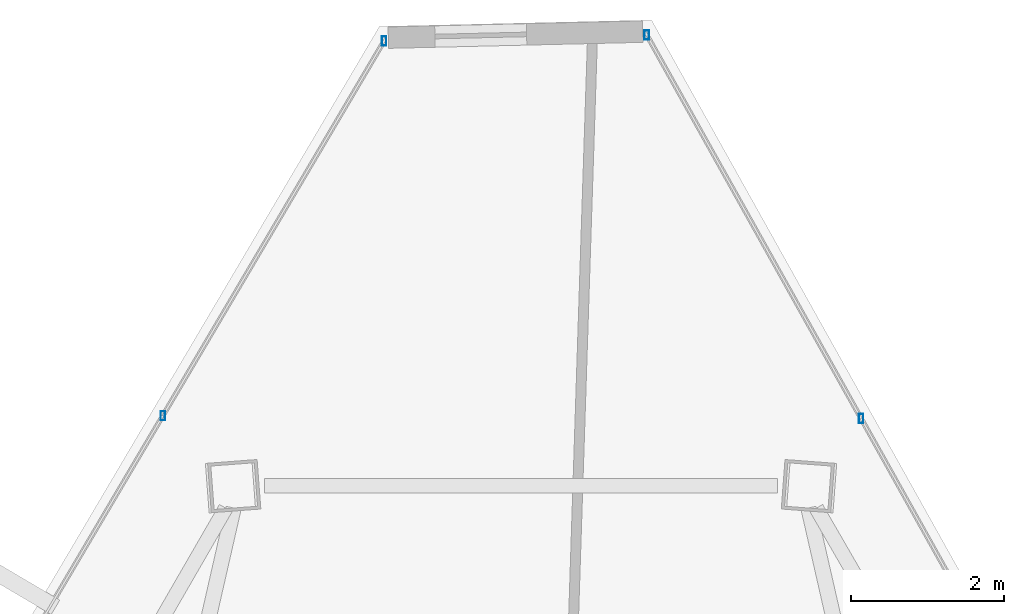
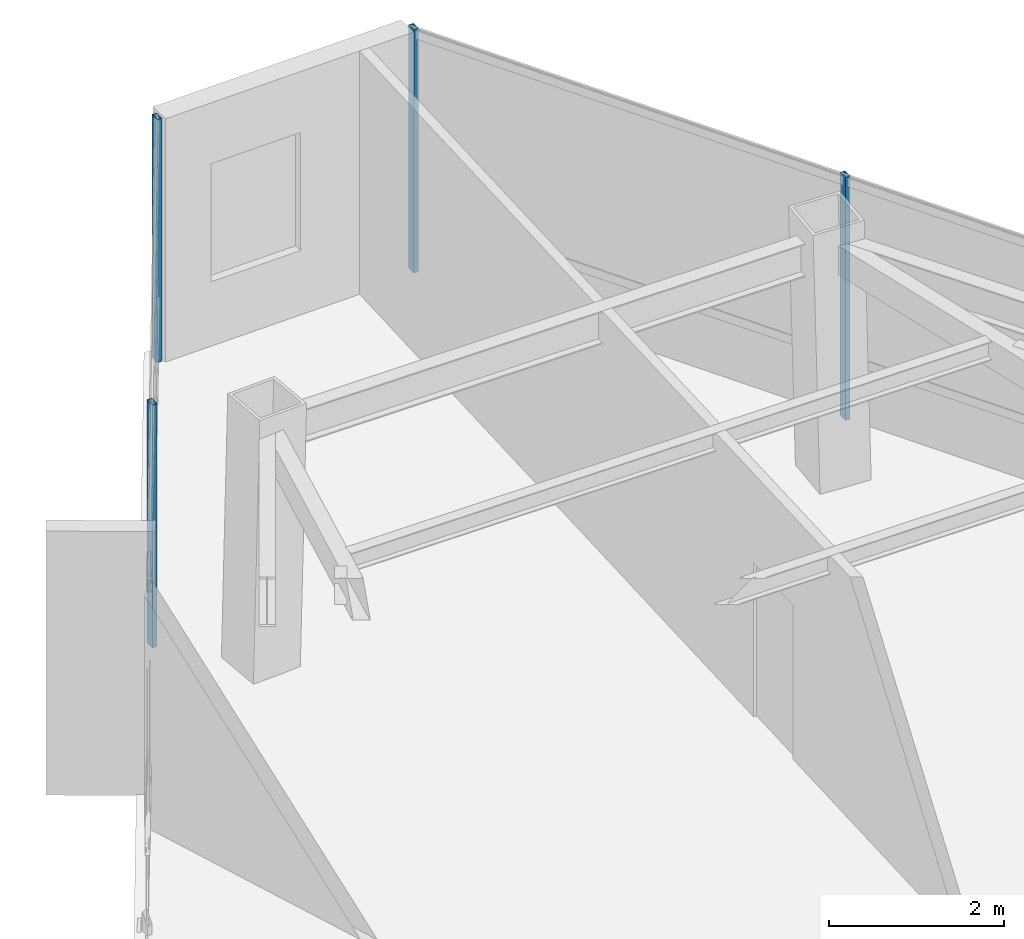
# One storey, part 34 of 44: 4 members, 2 elements without a shape of their own.
"""IFC4 building model written with IfcOpenShell, lengths in metres."""

from ifc_helpers import new_model, si_unit, direction, frame, origin, origin_2d, place, context, subcontext, project, spatial, hollow_rectangle, extrude, source, transform, mapped, material, material_profile, profile_set, type_object, type_shapes, element, aggregate, save


model = new_model("IFC4")

# Units and contexts
model_context = context("Model", 3, precision=1e-05, world=origin(), true_north=direction((0.0, 1.0)))
body_context = subcontext(model_context, "Body", "Model", "MODEL_VIEW")
ifc_project = project(units=[si_unit("LENGTHUNIT", "METRE"), si_unit("AREAUNIT", "SQUARE_METRE"), si_unit("VOLUMEUNIT", "CUBIC_METRE"), si_unit("PLANEANGLEUNIT", "RADIAN"), si_unit("MASSUNIT", "GRAM", prefix="KILO")], contexts=[model_context])

# Site, building, storey
site_placement = place(None, origin())
site = spatial("IfcSite", under=ifc_project, at=site_placement, CompositionType="ELEMENT")
building_placement = place(site_placement, origin())
building = spatial("IfcBuilding", under=site, at=building_placement, Name="Caelisora Broadcast Tower", CompositionType="ELEMENT")
storey_placement = place(building_placement, frame((0.0, 0.0, 259.050048828125)))
storey = spatial("IfcBuildingStorey", under=building, at=storey_placement, Name="L68", CompositionType="ELEMENT", Elevation=259.050048828125)

# Curtain wall, members
ifc_material_1 = material(Name="Unitised Aluminium and Low-E Glass Curtain Wall", Category="glass")
curtain_wall_type = type_object("IfcCurtainWallType", Name="CW-Z5", PredefinedType="NOTDEFINED", material=ifc_material_1)
curtain_wall_1_placement = place(storey_placement, origin())
curtain_wall_1 = element("IfcCurtainWall", 1, at=curtain_wall_1_placement, inside=storey, type_object=curtain_wall_type, Name="L68 curtain wall CW-Z5", PredefinedType="NOTDEFINED")
ifc_material_2 = material(Name="Aluminium 6063-T6 Anodised Terracotta Bronze", Category="aluminium")
ifc_material_profile = material_profile(ifc_material_2, hollow_rectangle(XDim=0.06005859375, YDim=0.1201171875, WallThickness=0.0029296875, at=origin_2d()), Name="Aluminium 6063-T6 Anodised Terracotta Bronze")
ifc_profile_set = profile_set([ifc_material_profile], Name="Aluminium 6063-T6 Anodised Terracotta Bronze")
member_type = type_object("IfcMemberType", Name="CWM-04", PredefinedType="MULLION", material=ifc_profile_set)
shared_shape = source(origin(), body_context, "Body", "SweptSolid", [
    extrude(hollow_rectangle(XDim=0.06005859375, YDim=0.1201171875, WallThickness=0.0029296875, at=origin_2d()), origin(), (0.0, 0.0, 1.0), 3.39990234375),
])
type_shapes(member_type, [shared_shape])
member_1_placement = place(storey_placement, frame((39.6455078125, 52.58642578125, 0.0), z_axis=(0.0, 0.0, 1.0), x_axis=(1.0, 0.0, 0.0)))
member_1 = element("IfcMember", 2, at=member_1_placement, type_object=member_type, Name="L68-CW-B01 mullion #0", PredefinedType="MULLION", context=body_context, shape_type="MappedRepresentation", body=[
    mapped(shared_shape, transform((0.0, 0.0, 0.0), scale=1.0)),
])
member_2_placement = place(storey_placement, frame((42.450927734375, 47.56689453125, 0.0), z_axis=(0.0, 0.0, 1.0), x_axis=(1.0, 0.0, 0.0)))
member_2 = element("IfcMember", 3, at=member_2_placement, type_object=member_type, Name="L68-CW-B01 mullion #1", PredefinedType="MULLION", context=body_context, shape_type="MappedRepresentation", body=[
    mapped(shared_shape, transform((0.0, 0.0, 0.0), scale=1.0)),
])
aggregate(curtain_wall_1, [member_1, member_2])

curtain_wall_2_placement = place(storey_placement, origin())
curtain_wall_2 = element("IfcCurtainWall", 4, at=curtain_wall_2_placement, inside=storey, type_object=curtain_wall_type, Name="L68 curtain wall CW-Z5", PredefinedType="NOTDEFINED")
member_3_placement = place(storey_placement, frame((33.312255859375, 47.603759765625, 0.0), z_axis=(0.0, 0.0, 1.0), x_axis=(1.0, 0.0, 0.0)))
member_3 = element("IfcMember", 5, at=member_3_placement, type_object=member_type, Name="L68-CW-B11 mullion #2", PredefinedType="MULLION", context=body_context, shape_type="MappedRepresentation", body=[
    mapped(shared_shape, transform((0.0, 0.0, 0.0), scale=1.0)),
])
member_4_placement = place(storey_placement, frame((36.20751953125, 52.5068359375, 0.0), z_axis=(0.0, 0.0, 1.0), x_axis=(1.0, 0.0, 0.0)))
member_4 = element("IfcMember", 6, at=member_4_placement, type_object=member_type, Name="L68-CW-B11 mullion #3", PredefinedType="MULLION", context=body_context, shape_type="MappedRepresentation", body=[
    mapped(shared_shape, transform((0.0, 0.0, 0.0), scale=1.0)),
])
aggregate(curtain_wall_2, [member_3, member_4])

save(model, "model.ifc")
